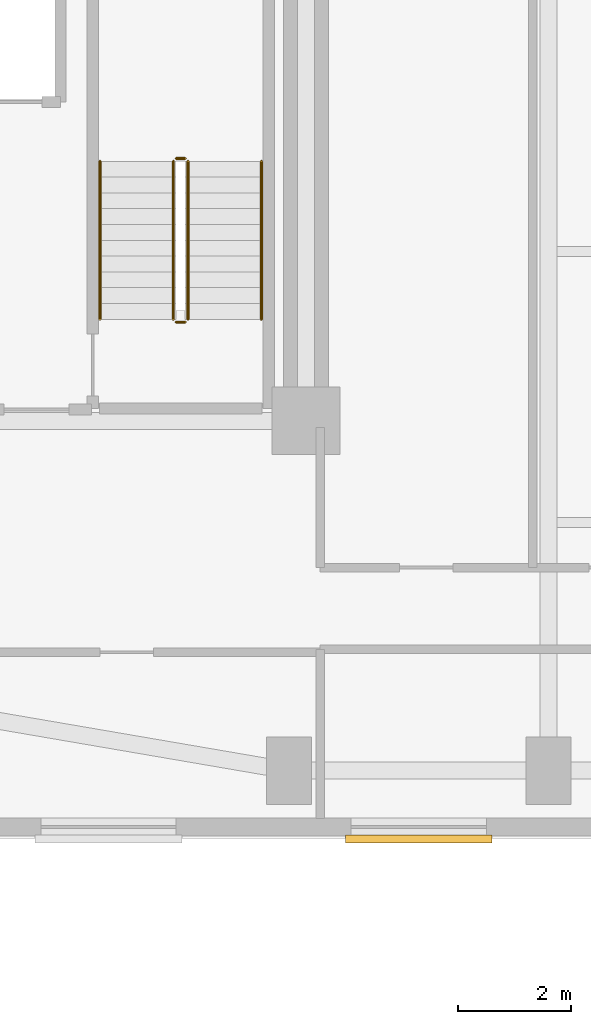
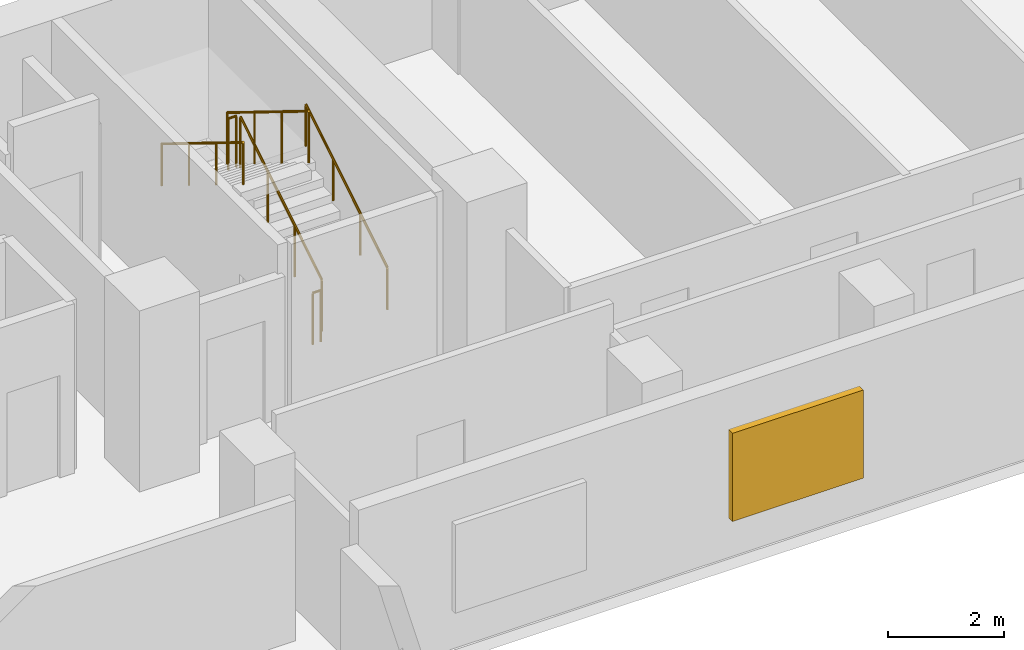
# One storey, part 14 of 16: 6 railings, 1 shading device.
"""IFC4 building model written with IfcOpenShell, lengths in metres."""

import ifcopenshell
import ifcopenshell.guid

model = None  # the IFC model being written
_history = None  # IfcOwnerHistory: only IFC2X3 demands one
_inside = {}  # id of a spatial element -> (the spatial element, [elements in it])
_under = {}  # id of a project, library or spatial element -> (it, [spatial elements below it])
_declared = {}  # id of a project -> (the project, [libraries it declares])
_typed = {}  # id of a type object -> (the type object, [elements of that type])
_made_of = {}  # id of a material, layer set ... -> (it, [elements and type objects made of it])


def new_model(schema):
    """Start an empty IFC model of exactly this schema.

    Asked for "IFC4X3", IfcOpenShell would pick the latest addendum, in which some entities
    have other attributes; the version numbers below select the first issue.
    IFC2X3 requires an IfcOwnerHistory on every rooted entity: one is made here for all.
    """
    global model, _history
    if schema == "IFC4X3":
        model = ifcopenshell.file(schema_version=(4, 3, 0, 0))
    else:
        model = ifcopenshell.file(schema=schema)
    _inside.clear()
    _under.clear()
    _declared.clear()
    _typed.clear()
    _made_of.clear()
    _history = None
    if model.schema == "IFC2X3":
        org = make("IfcOrganization", Name="unknown")
        user = make(
            "IfcPersonAndOrganization",
            ThePerson=make("IfcPerson", FamilyName="unknown"),
            TheOrganization=org,
        )
        app = make(
            "IfcApplication",
            ApplicationDeveloper=org,
            Version="unknown",
            ApplicationFullName="unknown",
            ApplicationIdentifier="unknown",
        )
        _history = make(
            "IfcOwnerHistory",
            OwningUser=user,
            OwningApplication=app,
            ChangeAction="ADDED",
            CreationDate=0,
        )
    return model


def make(cls, **values):
    """One entity of the class cls with the attributes given. An attribute that is None is left unset."""
    return model.create_entity(
        cls, **{name: value for name, value in values.items() if value is not None}
    )


def rooted(cls, **values):
    """An entity with a GlobalId (a new one), such as an element, a storey or a relation."""
    return make(cls, GlobalId=ifcopenshell.guid.new(), OwnerHistory=_history, **values)


def si_unit(unit_type, name, prefix=None):
    """IfcSIUnit, for example si_unit("LENGTHUNIT", "METRE", prefix="MILLI")."""
    return make("IfcSIUnit", UnitType=unit_type, Prefix=prefix, Name=name)


def assignment(units):
    """IfcUnitAssignment: the units of a project."""
    return None if units is None else make("IfcUnitAssignment", Units=units)


def point(xyz):
    """IfcCartesianPoint."""
    return None if xyz is None else make("IfcCartesianPoint", Coordinates=xyz)


def direction(xyz):
    """IfcDirection."""
    return None if xyz is None else make("IfcDirection", DirectionRatios=xyz)


def frame(location, z_axis=None, x_axis=None):
    """IfcAxis2Placement3D, a coordinate frame: its origin and axes. An axis left out is left unset."""
    return make(
        "IfcAxis2Placement3D",
        Location=point(location),
        Axis=direction(z_axis),
        RefDirection=direction(x_axis),
    )


def frame_2d(location, x_axis=None):
    """IfcAxis2Placement2D, a coordinate frame in the plane: its origin and x axis."""
    return make(
        "IfcAxis2Placement2D", Location=point(location), RefDirection=direction(x_axis)
    )


def origin():
    """The frame at (0, 0, 0) with its axes left unset."""
    return frame((0.0, 0.0, 0.0))


def origin_2d():
    """The frame at (0, 0) in the plane with its x axis left unset."""
    return frame_2d((0.0, 0.0))


def place(relative_to, where):
    """IfcLocalPlacement: puts the frame where relative to a parent placement (None: the world)."""
    return make(
        "IfcLocalPlacement", PlacementRelTo=relative_to, RelativePlacement=where
    )


def context(
    kind, dimensions, precision=None, world=None, true_north=None, identifier=None
):
    """IfcGeometricRepresentationContext, for example the 3D "Model" context."""
    return make(
        "IfcGeometricRepresentationContext",
        ContextIdentifier=identifier,
        ContextType=kind,
        CoordinateSpaceDimension=dimensions,
        Precision=precision,
        WorldCoordinateSystem=world,
        TrueNorth=true_north,
    )


def subcontext(parent, identifier, kind, view, scale=None):
    """IfcGeometricRepresentationSubContext, for example "Body" below "Model"."""
    return make(
        "IfcGeometricRepresentationSubContext",
        ContextIdentifier=identifier,
        ContextType=kind,
        ParentContext=parent,
        TargetScale=scale,
        TargetView=view,
    )


def project(units=None, contexts=None):
    """IfcProject with its units and contexts."""
    return rooted(
        "IfcProject",
        Name="project",
        RepresentationContexts=contexts,
        UnitsInContext=assignment(units),
    )


def spatial(cls, under=None, at=None, **own):
    """A site, building, storey or space (cls), placed at a placement, below another one or the project."""
    s = rooted(cls, ObjectPlacement=at, **own)
    if under is not None:
        _under.setdefault(under.id(), (under, []))[1].append(s)
    return s


def profile(cls, at=None, kind="AREA", **sizes):
    """A parametric profile (cls). Its sizes go by their IFC names, for example OverallWidth=200.0."""
    return make(cls, ProfileType=kind, Position=at, **sizes)


def rectangle(**sizes):
    """IfcRectangleProfileDef."""
    return profile("IfcRectangleProfileDef", **sizes)


def circle(**sizes):
    """IfcCircleProfileDef."""
    return profile("IfcCircleProfileDef", **sizes)


def extrude(swept, where, along, depth):
    """IfcExtrudedAreaSolid: the profile swept, set in the frame where, extruded along a direction by depth."""
    return make(
        "IfcExtrudedAreaSolid",
        SweptArea=swept,
        Position=where,
        ExtrudedDirection=direction(along),
        Depth=depth,
    )


def shape(context_of_items, identifier, shape_type, items):
    """IfcShapeRepresentation: the items that make up one representation, for example the "Body"."""
    return make(
        "IfcShapeRepresentation",
        ContextOfItems=context_of_items,
        RepresentationIdentifier=identifier,
        RepresentationType=shape_type,
        Items=items,
    )


def material(Name=None, Category=None):
    """IfcMaterial."""
    return make("IfcMaterial", Name=Name, Category=Category)


def layer(
    of_material, thickness, ventilated=None, Name=None, Category=None, Priority=None
):
    """IfcMaterialLayer: one layer of a wall or slab, of a material (None: an air gap)."""
    return make(
        "IfcMaterialLayer",
        Material=of_material,
        LayerThickness=thickness,
        IsVentilated=ventilated,
        Name=Name,
        Category=Category,
        Priority=Priority,
    )


def layer_set(layers, Name=None):
    """IfcMaterialLayerSet."""
    return make("IfcMaterialLayerSet", MaterialLayers=layers, LayerSetName=Name)


def made_of(thing, what):
    """Note that an element or type object is made of a material, layer set ...; save() writes the relation."""
    if what is not None:
        _made_of.setdefault(what.id(), (what, []))[1].append(thing)
    return thing


def type_object(cls, material=None, **own):
    """A type object (cls), such as IfcWallType, which elements share."""
    return made_of(rooted(cls, **own), material)


def element(
    cls,
    number,
    at=None,
    inside=None,
    cuts=None,
    type_object=None,
    material=None,
    context=None,
    identifier="Body",
    shape_type=None,
    held_by="IfcProductDefinitionShape",
    body=None,
    shapes=None,
    **own,
):
    """One element of the class cls, such as IfcWall. Its Tag is "e" and its number.

    at: its placement. inside: the storey or other place that contains it. cuts: it is an
    opening in that element (IfcRelVoidsElement). A single representation is given by context,
    identifier, shape_type and body (its items); several are given by shapes. held_by: the class
    of the entity that holds the representations. save() writes the other relations.
    """
    e = rooted(cls, Tag="e%d" % number, ObjectPlacement=at, **own)
    if body is not None:
        shapes = [shape(context, identifier, shape_type, body)]
    if shapes is not None:
        e.Representation = make(held_by, Representations=shapes)
    if inside is not None:
        _inside.setdefault(inside.id(), (inside, []))[1].append(e)
    if cuts is not None:
        rooted(
            "IfcRelVoidsElement", RelatingBuildingElement=cuts, RelatedOpeningElement=e
        )
    if type_object is not None:
        _typed.setdefault(type_object.id(), (type_object, []))[1].append(e)
    return made_of(e, material)


def aggregate(whole, parts):
    """IfcRelAggregates: a whole, such as a stair, and the parts it consists of."""
    return rooted("IfcRelAggregates", RelatingObject=whole, RelatedObjects=parts)


def save(model, path):
    """Write the relations noted so far, then the file.

    IfcRelAggregates (storeys below a building ...), IfcRelContainedInSpatialStructure (elements
    in a storey), IfcRelDefinesByType, IfcRelAssociatesMaterial and IfcRelDeclares: one each for
    every whole, place, type object, material and project.
    """
    for whole, parts in _under.values():
        aggregate(whole, parts)
    for where, things in _inside.values():
        rooted(
            "IfcRelContainedInSpatialStructure",
            RelatedElements=things,
            RelatingStructure=where,
        )
    for kind, things in _typed.values():
        rooted("IfcRelDefinesByType", RelatedObjects=things, RelatingType=kind)
    for what, things in _made_of.values():
        rooted("IfcRelAssociatesMaterial", RelatedObjects=things, RelatingMaterial=what)
    for by, libraries in _declared.values():
        rooted("IfcRelDeclares", RelatingContext=by, RelatedDefinitions=libraries)
    model.write(path)


model = new_model("IFC4")

# Units and contexts
model_context = context("Model", 3, precision=1e-05, world=origin(), true_north=direction((0.0, 1.0)))
body_context = subcontext(model_context, "Body", "Model", "MODEL_VIEW")
ifc_project = project(units=[si_unit("LENGTHUNIT", "METRE"), si_unit("AREAUNIT", "SQUARE_METRE"), si_unit("VOLUMEUNIT", "CUBIC_METRE"), si_unit("PLANEANGLEUNIT", "RADIAN"), si_unit("MASSUNIT", "GRAM", prefix="KILO")], contexts=[model_context])

# Site, building, storey
site_placement = place(None, origin())
site = spatial("IfcSite", under=ifc_project, at=site_placement, CompositionType="ELEMENT")
building_placement = place(site_placement, origin())
building = spatial("IfcBuilding", under=site, at=building_placement, Name="Kuzgunbayir Cultural Tower", CompositionType="ELEMENT")
storey_placement = place(building_placement, frame((0.0, 0.0, 75.60009765625)))
storey = spatial("IfcBuildingStorey", under=building, at=storey_placement, Name="L21", CompositionType="ELEMENT", Elevation=75.60009765625)

# Railings
ifc_material_1 = material(Name="Brushed Stainless Steel", Category="steel")
ifc_layer_1 = layer(ifc_material_1, 0.050048828125)
ifc_layer_set_1 = layer_set([ifc_layer_1], Name="Brushed Stainless Steel")
railing_type_1 = type_object("IfcRailingType", Name="RLG-STAIR-HANDRAIL", PredefinedType="HANDRAIL", material=ifc_layer_set_1)
railing_1_placement = place(storey_placement, frame((26.110107421875, 35.60009765625, 0.172607421875)))
element("IfcRailing", 1, at=railing_1_placement, inside=storey, type_object=railing_type_1, Name="L21 ST-2 stair handrail 1", PredefinedType="HANDRAIL", context=body_context, shape_type="SweptSolid", body=[
    extrude(circle(Radius=0.02392578125, at=origin_2d()), frame((0.0, 0.0, 0.8759765625), z_axis=(0.0, 0.851069175582, 0.525053576669), x_axis=(-1.0, 0.0, 0.0)), (0.0, 0.0, 1.0), 3.289794921875),
    extrude(circle(Radius=0.02099609375, at=origin_2d()), origin(), (0.0, 0.0, 1.0), 0.851806640625),
    extrude(circle(Radius=0.02099609375, at=origin_2d()), frame((0.0, 0.933349609375, 0.57568359375)), (0.0, 0.0, 1.0), 0.851806640625),
    extrude(circle(Radius=0.02099609375, at=origin_2d()), frame((0.0, 1.866455078125, 1.151611328125)), (0.0, 0.0, 1.0), 0.851806640625),
    extrude(circle(Radius=0.02099609375, at=origin_2d()), frame((0.0, 2.7998046875, 1.727294921875)), (0.0, 0.0, 1.0), 0.851806640625),
])
railing_2_placement = place(storey_placement, frame((23.25, 38.39990234375, 2.072509765625)))
element("IfcRailing", 2, at=railing_2_placement, inside=storey, type_object=railing_type_1, Name="L21 ST-2 stair handrail 2", PredefinedType="HANDRAIL", context=body_context, shape_type="SweptSolid", body=[
    extrude(circle(Radius=0.02392578125, at=origin_2d()), frame((0.0, 0.0, 0.8759765625), z_axis=(0.0, -0.851069175582, 0.525053576669), x_axis=(1.0, 0.0, 0.0)), (0.0, 0.0, 1.0), 3.289794921875),
    extrude(circle(Radius=0.02099609375, at=origin_2d()), origin(), (0.0, 0.0, 1.0), 0.851806640625),
    extrude(circle(Radius=0.02099609375, at=origin_2d()), frame((0.0, -0.933349609375, 0.57568359375)), (0.0, 0.0, 1.0), 0.851806640625),
    extrude(circle(Radius=0.02099609375, at=origin_2d()), frame((0.0, -1.866455078125, 1.151611328125)), (0.0, 0.0, 1.0), 0.851806640625),
    extrude(circle(Radius=0.02099609375, at=origin_2d()), frame((0.0, -2.7998046875, 1.727294921875)), (0.0, 0.0, 1.0), 0.851806640625),
])
ifc_material_2 = material(Name="Painted Steel Balustrade", Category="steel")
ifc_layer_2 = layer(ifc_material_2, 0.06005859375)
ifc_layer_set_2 = layer_set([ifc_layer_2], Name="Painted Steel Balustrade")
railing_type_2 = type_object("IfcRailingType", Name="RLG-WELL-GUARD", PredefinedType="GUARDRAIL", material=ifc_layer_set_2)
railing_3_placement = place(storey_placement, frame((24.81005859375, 35.60009765625, 0.172607421875)))
element("IfcRailing", 3, at=railing_3_placement, inside=storey, type_object=railing_type_2, Name="L21 ST-2 stair guard 1", PredefinedType="GUARDRAIL", context=body_context, shape_type="SweptSolid", body=[
    extrude(circle(Radius=0.02392578125, at=origin_2d()), frame((0.0, 0.0, 1.076171875), z_axis=(0.0, 0.851069175582, 0.525053576669), x_axis=(-1.0, 0.0, 0.0)), (0.0, 0.0, 1.0), 3.289794921875),
    extrude(circle(Radius=0.02099609375, at=origin_2d()), origin(), (0.0, 0.0, 1.0), 1.052001953125),
    extrude(circle(Radius=0.02099609375, at=origin_2d()), frame((0.0, 0.933349609375, 0.57568359375)), (0.0, 0.0, 1.0), 1.052001953125),
    extrude(circle(Radius=0.02099609375, at=origin_2d()), frame((0.0, 1.866455078125, 1.151611328125)), (0.0, 0.0, 1.0), 1.052001953125),
    extrude(circle(Radius=0.02099609375, at=origin_2d()), frame((0.0, 2.7998046875, 1.727294921875)), (0.0, 0.0, 1.0), 1.052001953125),
])
railing_4_placement = place(storey_placement, frame((24.760009765625, 38.449951171875, 1.89990234375)))
element("IfcRailing", 4, at=railing_4_placement, inside=storey, type_object=railing_type_2, Name="L21 ST-2 stair guard 2", PredefinedType="GUARDRAIL", context=body_context, shape_type="SweptSolid", body=[
    extrude(circle(Radius=0.02392578125, at=origin_2d()), frame((0.0, 0.0, 1.076171875), z_axis=(-1.0, 0.0, 0.0), x_axis=(0.0, -1.0, 0.0)), (0.0, 0.0, 1.0), 0.159912109375),
    extrude(circle(Radius=0.02099609375, at=origin_2d()), origin(), (0.0, 0.0, 1.0), 1.052001953125),
    extrude(circle(Radius=0.02099609375, at=origin_2d()), frame((-0.159912109375, 0.0, 0.0)), (0.0, 0.0, 1.0), 1.052001953125),
])
railing_5_placement = place(storey_placement, frame((24.550048828125, 38.39990234375, 2.072509765625)))
element("IfcRailing", 5, at=railing_5_placement, inside=storey, type_object=railing_type_2, Name="L21 ST-2 stair guard 3", PredefinedType="GUARDRAIL", context=body_context, shape_type="SweptSolid", body=[
    extrude(circle(Radius=0.02392578125, at=origin_2d()), frame((0.0, 0.0, 1.076171875), z_axis=(0.0, -0.851069175582, 0.525053576669), x_axis=(1.0, 0.0, 0.0)), (0.0, 0.0, 1.0), 3.289794921875),
    extrude(circle(Radius=0.02099609375, at=origin_2d()), origin(), (0.0, 0.0, 1.0), 1.052001953125),
    extrude(circle(Radius=0.02099609375, at=origin_2d()), frame((0.0, -0.933349609375, 0.57568359375)), (0.0, 0.0, 1.0), 1.052001953125),
    extrude(circle(Radius=0.02099609375, at=origin_2d()), frame((0.0, -1.866455078125, 1.151611328125)), (0.0, 0.0, 1.0), 1.052001953125),
    extrude(circle(Radius=0.02099609375, at=origin_2d()), frame((0.0, -2.7998046875, 1.727294921875)), (0.0, 0.0, 1.0), 1.052001953125),
])
railing_6_placement = place(storey_placement, frame((24.760009765625, 35.550048828125, 0.0)))
element("IfcRailing", 6, at=railing_6_placement, inside=storey, type_object=railing_type_2, Name="L21 ST-2 stair guard 4", PredefinedType="GUARDRAIL", context=body_context, shape_type="SweptSolid", body=[
    extrude(circle(Radius=0.02392578125, at=origin_2d()), frame((0.0, 0.0, 1.076171875), z_axis=(-1.0, 0.0, 0.0), x_axis=(0.0, -1.0, 0.0)), (0.0, 0.0, 1.0), 0.159912109375),
    extrude(circle(Radius=0.02099609375, at=origin_2d()), origin(), (0.0, 0.0, 1.0), 1.052001953125),
    extrude(circle(Radius=0.02099609375, at=origin_2d()), frame((-0.159912109375, 0.0, 0.0)), (0.0, 0.0, 1.0), 1.052001953125),
])

# Shading device
ifc_material_3 = material(Name="Perforated Bronze-Anodised Aluminium", Category="aluminium")
shading_device_type = type_object("IfcShadingDeviceType", Name="SHD-SOLAR-BRONZE", PredefinedType="JALOUSIE", material=ifc_material_3)
shading_device_placement = place(storey_placement, frame((28.89990234375, 26.389892578125, 0.824951171875), z_axis=(0.0, 0.0, 1.0), x_axis=(1.0, 0.0, 0.0)))
element("IfcShadingDevice", 7, at=shading_device_placement, inside=storey, type_object=shading_device_type, Name="L21 Solar Screen WBS9", PredefinedType="JALOUSIE", context=body_context, shape_type="SweptSolid", body=[
    extrude(rectangle(XDim=2.60009765625, YDim=0.139892578125, at=origin_2d()), origin(), (0.0, 0.0, 1.0), 1.85009765625),
])

save(model, "model.ifc")
